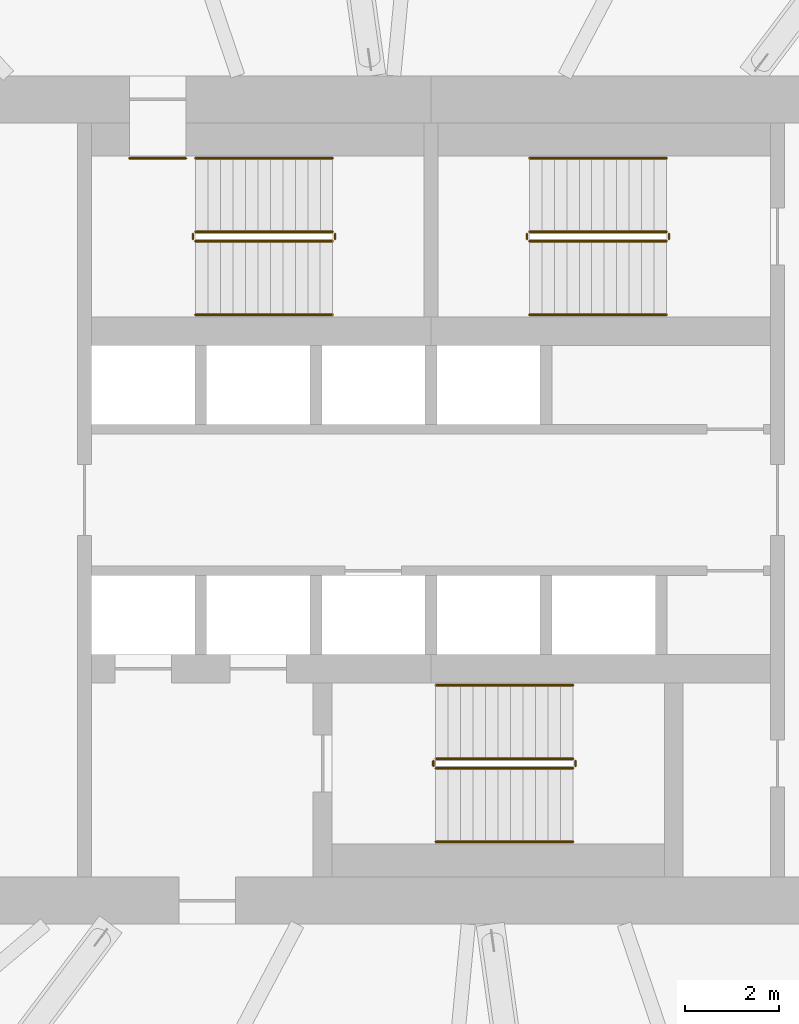
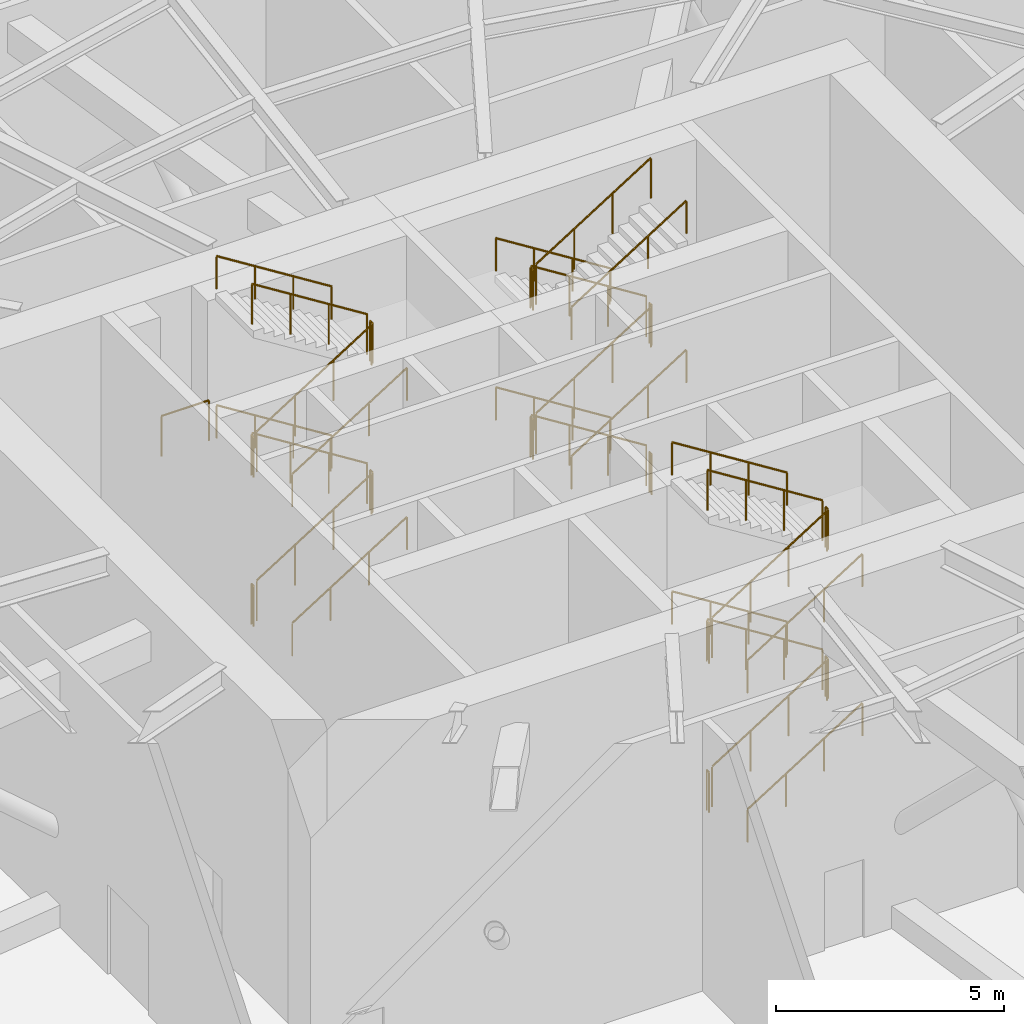
# One storey, part 14 of 15: 37 railings.
"""IFC4 building model written with IfcOpenShell, lengths in metres."""

from ifc_helpers import new_model, si_unit, direction, frame, origin, origin_2d, place, context, subcontext, project, spatial, circle, extrude, material, type_object, element, save


model = new_model("IFC4")

# Units and contexts
model_context = context("Model", 3, precision=1e-05, world=origin(), true_north=direction((0.0, 1.0)))
body_context = subcontext(model_context, "Body", "Model", "MODEL_VIEW")
ifc_project = project(units=[si_unit("LENGTHUNIT", "METRE"), si_unit("AREAUNIT", "SQUARE_METRE"), si_unit("VOLUMEUNIT", "CUBIC_METRE"), si_unit("PLANEANGLEUNIT", "RADIAN"), si_unit("MASSUNIT", "GRAM", prefix="KILO")], contexts=[model_context])

# Site, building, storey
site_placement = place(None, origin())
site = spatial("IfcSite", under=ifc_project, at=site_placement, CompositionType="ELEMENT")
building_placement = place(site_placement, origin())
building = spatial("IfcBuilding", under=site, at=building_placement, Name="Vermilion Reach Broadcast Tower", CompositionType="ELEMENT")
storey_placement = place(building_placement, frame((0.0, 0.0, 135.39990234375)))
storey = spatial("IfcBuildingStorey", under=building, at=storey_placement, Name="L32", CompositionType="ELEMENT", Elevation=135.39990234375)

# Railings
ifc_material_1 = material(Name="Stainless steel", Category="steel")
railing_type_1 = type_object("IfcRailingType", Name="Stair guard 1100", PredefinedType="GUARDRAIL", material=ifc_material_1)
railing_1_placement = place(storey_placement, frame((-11.0, 5.489990234375, 0.166748046875)))
element("IfcRailing", 1, at=railing_1_placement, inside=storey, type_object=railing_type_1, Name="L32 ST1 stair guard 1", PredefinedType="GUARDRAIL", context=body_context, shape_type="SweptSolid", body=[
    extrude(circle(Radius=0.02392578125, at=origin_2d()), frame((0.0, 0.0, 1.076171875), z_axis=(0.846513317117, 0.0, 0.532367545915), x_axis=(0.0, 1.0, 0.0)), (0.0, 0.0, 1.0), 3.443603515625),
    extrude(circle(Radius=0.02099609375, at=origin_2d()), origin(), (0.0, 0.0, 1.0), 1.052001953125),
    extrude(circle(Radius=0.02099609375, at=origin_2d()), frame((0.9716796875, 0.0, 0.611083984375)), (0.0, 0.0, 1.0), 1.052001953125),
    extrude(circle(Radius=0.02099609375, at=origin_2d()), frame((1.943359375, 0.0, 1.22216796875)), (0.0, 0.0, 1.0), 1.052001953125),
    extrude(circle(Radius=0.02099609375, at=origin_2d()), frame((2.9150390625, 0.0, 1.833251953125)), (0.0, 0.0, 1.0), 1.052001953125),
])
railing_2_placement = place(storey_placement, frame((-8.034912109375, 5.5400390625, 2.0)))
element("IfcRailing", 2, at=railing_2_placement, inside=storey, type_object=railing_type_1, Name="L32 ST1 stair guard 2", PredefinedType="GUARDRAIL", context=body_context, shape_type="SweptSolid", body=[
    extrude(circle(Radius=0.02392578125, at=origin_2d()), frame((0.0, 0.0, 1.076171875), z_axis=(0.0, 1.0, 0.0), x_axis=(-1.0, 0.0, 0.0)), (0.0, 0.0, 1.0), 0.099853515625),
    extrude(circle(Radius=0.02099609375, at=origin_2d()), origin(), (0.0, 0.0, 1.0), 1.052001953125),
    extrude(circle(Radius=0.02099609375, at=origin_2d()), frame((0.0, 0.099853515625, 0.0)), (0.0, 0.0, 1.0), 1.052001953125),
])
railing_3_placement = place(storey_placement, frame((-8.0849609375, 5.68994140625, 2.166748046875)))
element("IfcRailing", 3, at=railing_3_placement, inside=storey, type_object=railing_type_1, Name="L32 ST1 stair guard 3", PredefinedType="GUARDRAIL", context=body_context, shape_type="SweptSolid", body=[
    extrude(circle(Radius=0.02392578125, at=origin_2d()), frame((0.0, 0.0, 1.076171875), z_axis=(-0.846513317117, 0.0, 0.532367545915), x_axis=(0.0, -1.0, 0.0)), (0.0, 0.0, 1.0), 3.443603515625),
    extrude(circle(Radius=0.02099609375, at=origin_2d()), origin(), (0.0, 0.0, 1.0), 1.052001953125),
    extrude(circle(Radius=0.02099609375, at=origin_2d()), frame((-0.9716796875, 0.0, 0.611083984375)), (0.0, 0.0, 1.0), 1.052001953125),
    extrude(circle(Radius=0.02099609375, at=origin_2d()), frame((-1.943359375, 0.0, 1.22216796875)), (0.0, 0.0, 1.0), 1.052001953125),
    extrude(circle(Radius=0.02099609375, at=origin_2d()), frame((-2.9150390625, 0.0, 1.833251953125)), (0.0, 0.0, 1.0), 1.052001953125),
])
railing_4_placement = place(storey_placement, frame((-11.050048828125, 5.5400390625, 4.0)))
element("IfcRailing", 4, at=railing_4_placement, inside=storey, type_object=railing_type_1, Name="L32 ST1 stair guard 4", PredefinedType="GUARDRAIL", context=body_context, shape_type="SweptSolid", body=[
    extrude(circle(Radius=0.02392578125, at=origin_2d()), frame((0.0, 0.0, 1.076171875), z_axis=(0.0, 1.0, 0.0), x_axis=(-1.0, 0.0, 0.0)), (0.0, 0.0, 1.0), 0.099853515625),
    extrude(circle(Radius=0.02099609375, at=origin_2d()), origin(), (0.0, 0.0, 1.0), 1.052001953125),
    extrude(circle(Radius=0.02099609375, at=origin_2d()), frame((0.0, 0.099853515625, 0.0)), (0.0, 0.0, 1.0), 1.052001953125),
])
railing_5_placement = place(storey_placement, frame((-11.0, 5.489990234375, 4.166748046875)))
element("IfcRailing", 5, at=railing_5_placement, inside=storey, type_object=railing_type_1, Name="L32 ST1 stair guard 5", PredefinedType="GUARDRAIL", context=body_context, shape_type="SweptSolid", body=[
    extrude(circle(Radius=0.02392578125, at=origin_2d()), frame((0.0, 0.0, 1.076171875), z_axis=(0.846513317117, 0.0, 0.532367545915), x_axis=(0.0, 1.0, 0.0)), (0.0, 0.0, 1.0), 3.443603515625),
    extrude(circle(Radius=0.02099609375, at=origin_2d()), origin(), (0.0, 0.0, 1.0), 1.052001953125),
    extrude(circle(Radius=0.02099609375, at=origin_2d()), frame((0.9716796875, 0.0, 0.611083984375)), (0.0, 0.0, 1.0), 1.052001953125),
    extrude(circle(Radius=0.02099609375, at=origin_2d()), frame((1.943359375, 0.0, 1.22216796875)), (0.0, 0.0, 1.0), 1.052001953125),
    extrude(circle(Radius=0.02099609375, at=origin_2d()), frame((2.9150390625, 0.0, 1.833251953125)), (0.0, 0.0, 1.0), 1.052001953125),
])
railing_6_placement = place(storey_placement, frame((-8.034912109375, 5.5400390625, 6.0)))
element("IfcRailing", 6, at=railing_6_placement, inside=storey, type_object=railing_type_1, Name="L32 ST1 stair guard 6", PredefinedType="GUARDRAIL", context=body_context, shape_type="SweptSolid", body=[
    extrude(circle(Radius=0.02392578125, at=origin_2d()), frame((0.0, 0.0, 1.076171875), z_axis=(0.0, 1.0, 0.0), x_axis=(-1.0, 0.0, 0.0)), (0.0, 0.0, 1.0), 0.099853515625),
    extrude(circle(Radius=0.02099609375, at=origin_2d()), origin(), (0.0, 0.0, 1.0), 1.052001953125),
    extrude(circle(Radius=0.02099609375, at=origin_2d()), frame((0.0, 0.099853515625, 0.0)), (0.0, 0.0, 1.0), 1.052001953125),
])
railing_7_placement = place(storey_placement, frame((-8.0849609375, 5.68994140625, 6.166748046875)))
element("IfcRailing", 7, at=railing_7_placement, inside=storey, type_object=railing_type_1, Name="L32 ST1 stair guard 7", PredefinedType="GUARDRAIL", context=body_context, shape_type="SweptSolid", body=[
    extrude(circle(Radius=0.02392578125, at=origin_2d()), frame((0.0, 0.0, 1.076171875), z_axis=(-0.846513317117, 0.0, 0.532367545915), x_axis=(0.0, -1.0, 0.0)), (0.0, 0.0, 1.0), 3.443603515625),
    extrude(circle(Radius=0.02099609375, at=origin_2d()), origin(), (0.0, 0.0, 1.0), 1.052001953125),
    extrude(circle(Radius=0.02099609375, at=origin_2d()), frame((-0.9716796875, 0.0, 0.611083984375)), (0.0, 0.0, 1.0), 1.052001953125),
    extrude(circle(Radius=0.02099609375, at=origin_2d()), frame((-1.943359375, 0.0, 1.22216796875)), (0.0, 0.0, 1.0), 1.052001953125),
    extrude(circle(Radius=0.02099609375, at=origin_2d()), frame((-2.9150390625, 0.0, 1.833251953125)), (0.0, 0.0, 1.0), 1.052001953125),
])
railing_8_placement = place(storey_placement, frame((-11.050048828125, 5.5400390625, 0.0)))
element("IfcRailing", 8, at=railing_8_placement, inside=storey, type_object=railing_type_1, Name="L32 ST1 stair guard 8", PredefinedType="GUARDRAIL", context=body_context, shape_type="SweptSolid", body=[
    extrude(circle(Radius=0.02392578125, at=origin_2d()), frame((0.0, 0.0, 1.076171875), z_axis=(0.0, 1.0, 0.0), x_axis=(-1.0, 0.0, 0.0)), (0.0, 0.0, 1.0), 0.099853515625),
    extrude(circle(Radius=0.02099609375, at=origin_2d()), origin(), (0.0, 0.0, 1.0), 1.052001953125),
    extrude(circle(Radius=0.02099609375, at=origin_2d()), frame((0.0, 0.099853515625, 0.0)), (0.0, 0.0, 1.0), 1.052001953125),
])
railing_9_placement = place(storey_placement, frame((-12.39990234375, 7.25, 4.0)))
element("IfcRailing", 9, at=railing_9_placement, inside=storey, type_object=railing_type_1, Name="L32 ST1 doorway guard", PredefinedType="GUARDRAIL", context=body_context, shape_type="SweptSolid", body=[
    extrude(circle(Radius=0.02392578125, at=origin_2d()), frame((0.0, 0.0, 1.076171875), z_axis=(1.0, 0.0, 0.0), x_axis=(0.0, 1.0, 0.0)), (0.0, 0.0, 1.0), 1.199951171875),
    extrude(circle(Radius=0.02099609375, at=origin_2d()), origin(), (0.0, 0.0, 1.0), 1.052001953125),
    extrude(circle(Radius=0.02099609375, at=origin_2d()), frame((1.199951171875, 0.0, 0.0)), (0.0, 0.0, 1.0), 1.052001953125),
])
railing_10_placement = place(storey_placement, frame((-1.0, 5.68994140625, 0.166748046875)))
element("IfcRailing", 10, at=railing_10_placement, inside=storey, type_object=railing_type_1, Name="L32 ST2 stair guard 1", PredefinedType="GUARDRAIL", context=body_context, shape_type="SweptSolid", body=[
    extrude(circle(Radius=0.02392578125, at=origin_2d()), frame((0.0, 0.0, 1.076171875), z_axis=(-0.846513317117, 0.0, 0.532367545915), x_axis=(0.0, -1.0, 0.0)), (0.0, 0.0, 1.0), 3.443603515625),
    extrude(circle(Radius=0.02099609375, at=origin_2d()), origin(), (0.0, 0.0, 1.0), 1.052001953125),
    extrude(circle(Radius=0.02099609375, at=origin_2d()), frame((-0.9716796875, 0.0, 0.611083984375)), (0.0, 0.0, 1.0), 1.052001953125),
    extrude(circle(Radius=0.02099609375, at=origin_2d()), frame((-1.943359375, 0.0, 1.22216796875)), (0.0, 0.0, 1.0), 1.052001953125),
    extrude(circle(Radius=0.02099609375, at=origin_2d()), frame((-2.9150390625, 0.0, 1.833251953125)), (0.0, 0.0, 1.0), 1.052001953125),
])
railing_11_placement = place(storey_placement, frame((-3.965087890625, 5.639892578125, 2.0)))
element("IfcRailing", 11, at=railing_11_placement, inside=storey, type_object=railing_type_1, Name="L32 ST2 stair guard 2", PredefinedType="GUARDRAIL", context=body_context, shape_type="SweptSolid", body=[
    extrude(circle(Radius=0.02392578125, at=origin_2d()), frame((0.0, 0.0, 1.076171875), z_axis=(0.0, -1.0, 0.0), x_axis=(1.0, 0.0, 0.0)), (0.0, 0.0, 1.0), 0.099853515625),
    extrude(circle(Radius=0.02099609375, at=origin_2d()), origin(), (0.0, 0.0, 1.0), 1.052001953125),
    extrude(circle(Radius=0.02099609375, at=origin_2d()), frame((0.0, -0.099853515625, 0.0)), (0.0, 0.0, 1.0), 1.052001953125),
])
railing_12_placement = place(storey_placement, frame((-3.9150390625, 5.489990234375, 2.166748046875)))
element("IfcRailing", 12, at=railing_12_placement, inside=storey, type_object=railing_type_1, Name="L32 ST2 stair guard 3", PredefinedType="GUARDRAIL", context=body_context, shape_type="SweptSolid", body=[
    extrude(circle(Radius=0.02392578125, at=origin_2d()), frame((0.0, 0.0, 1.076171875), z_axis=(0.846513317117, 0.0, 0.532367545915), x_axis=(0.0, 1.0, 0.0)), (0.0, 0.0, 1.0), 3.443603515625),
    extrude(circle(Radius=0.02099609375, at=origin_2d()), origin(), (0.0, 0.0, 1.0), 1.052001953125),
    extrude(circle(Radius=0.02099609375, at=origin_2d()), frame((0.9716796875, 0.0, 0.611083984375)), (0.0, 0.0, 1.0), 1.052001953125),
    extrude(circle(Radius=0.02099609375, at=origin_2d()), frame((1.943359375, 0.0, 1.22216796875)), (0.0, 0.0, 1.0), 1.052001953125),
    extrude(circle(Radius=0.02099609375, at=origin_2d()), frame((2.9150390625, 0.0, 1.833251953125)), (0.0, 0.0, 1.0), 1.052001953125),
])
railing_13_placement = place(storey_placement, frame((-0.949951171875, 5.639892578125, 4.0)))
element("IfcRailing", 13, at=railing_13_placement, inside=storey, type_object=railing_type_1, Name="L32 ST2 stair guard 4", PredefinedType="GUARDRAIL", context=body_context, shape_type="SweptSolid", body=[
    extrude(circle(Radius=0.02392578125, at=origin_2d()), frame((0.0, 0.0, 1.076171875), z_axis=(0.0, -1.0, 0.0), x_axis=(1.0, 0.0, 0.0)), (0.0, 0.0, 1.0), 0.099853515625),
    extrude(circle(Radius=0.02099609375, at=origin_2d()), origin(), (0.0, 0.0, 1.0), 1.052001953125),
    extrude(circle(Radius=0.02099609375, at=origin_2d()), frame((0.0, -0.099853515625, 0.0)), (0.0, 0.0, 1.0), 1.052001953125),
])
railing_14_placement = place(storey_placement, frame((-1.0, 5.68994140625, 4.166748046875)))
element("IfcRailing", 14, at=railing_14_placement, inside=storey, type_object=railing_type_1, Name="L32 ST2 stair guard 5", PredefinedType="GUARDRAIL", context=body_context, shape_type="SweptSolid", body=[
    extrude(circle(Radius=0.02392578125, at=origin_2d()), frame((0.0, 0.0, 1.076171875), z_axis=(-0.846513317117, 0.0, 0.532367545915), x_axis=(0.0, -1.0, 0.0)), (0.0, 0.0, 1.0), 3.443603515625),
    extrude(circle(Radius=0.02099609375, at=origin_2d()), origin(), (0.0, 0.0, 1.0), 1.052001953125),
    extrude(circle(Radius=0.02099609375, at=origin_2d()), frame((-0.9716796875, 0.0, 0.611083984375)), (0.0, 0.0, 1.0), 1.052001953125),
    extrude(circle(Radius=0.02099609375, at=origin_2d()), frame((-1.943359375, 0.0, 1.22216796875)), (0.0, 0.0, 1.0), 1.052001953125),
    extrude(circle(Radius=0.02099609375, at=origin_2d()), frame((-2.9150390625, 0.0, 1.833251953125)), (0.0, 0.0, 1.0), 1.052001953125),
])
railing_15_placement = place(storey_placement, frame((-3.965087890625, 5.639892578125, 6.0)))
element("IfcRailing", 15, at=railing_15_placement, inside=storey, type_object=railing_type_1, Name="L32 ST2 stair guard 6", PredefinedType="GUARDRAIL", context=body_context, shape_type="SweptSolid", body=[
    extrude(circle(Radius=0.02392578125, at=origin_2d()), frame((0.0, 0.0, 1.076171875), z_axis=(0.0, -1.0, 0.0), x_axis=(1.0, 0.0, 0.0)), (0.0, 0.0, 1.0), 0.099853515625),
    extrude(circle(Radius=0.02099609375, at=origin_2d()), origin(), (0.0, 0.0, 1.0), 1.052001953125),
    extrude(circle(Radius=0.02099609375, at=origin_2d()), frame((0.0, -0.099853515625, 0.0)), (0.0, 0.0, 1.0), 1.052001953125),
])
railing_16_placement = place(storey_placement, frame((-3.9150390625, 5.489990234375, 6.166748046875)))
element("IfcRailing", 16, at=railing_16_placement, inside=storey, type_object=railing_type_1, Name="L32 ST2 stair guard 7", PredefinedType="GUARDRAIL", context=body_context, shape_type="SweptSolid", body=[
    extrude(circle(Radius=0.02392578125, at=origin_2d()), frame((0.0, 0.0, 1.076171875), z_axis=(0.846513317117, 0.0, 0.532367545915), x_axis=(0.0, 1.0, 0.0)), (0.0, 0.0, 1.0), 3.443603515625),
    extrude(circle(Radius=0.02099609375, at=origin_2d()), origin(), (0.0, 0.0, 1.0), 1.052001953125),
    extrude(circle(Radius=0.02099609375, at=origin_2d()), frame((0.9716796875, 0.0, 0.611083984375)), (0.0, 0.0, 1.0), 1.052001953125),
    extrude(circle(Radius=0.02099609375, at=origin_2d()), frame((1.943359375, 0.0, 1.22216796875)), (0.0, 0.0, 1.0), 1.052001953125),
    extrude(circle(Radius=0.02099609375, at=origin_2d()), frame((2.9150390625, 0.0, 1.833251953125)), (0.0, 0.0, 1.0), 1.052001953125),
])
railing_17_placement = place(storey_placement, frame((-0.949951171875, 5.639892578125, 0.0)))
element("IfcRailing", 17, at=railing_17_placement, inside=storey, type_object=railing_type_1, Name="L32 ST2 stair guard 8", PredefinedType="GUARDRAIL", context=body_context, shape_type="SweptSolid", body=[
    extrude(circle(Radius=0.02392578125, at=origin_2d()), frame((0.0, 0.0, 1.076171875), z_axis=(0.0, -1.0, 0.0), x_axis=(1.0, 0.0, 0.0)), (0.0, 0.0, 1.0), 0.099853515625),
    extrude(circle(Radius=0.02099609375, at=origin_2d()), origin(), (0.0, 0.0, 1.0), 1.052001953125),
    extrude(circle(Radius=0.02099609375, at=origin_2d()), frame((0.0, -0.099853515625, 0.0)), (0.0, 0.0, 1.0), 1.052001953125),
])
railing_18_placement = place(storey_placement, frame((-5.89990234375, -5.68994140625, 0.166748046875)))
element("IfcRailing", 18, at=railing_18_placement, inside=storey, type_object=railing_type_1, Name="L32 ST3 stair guard 1", PredefinedType="GUARDRAIL", context=body_context, shape_type="SweptSolid", body=[
    extrude(circle(Radius=0.02392578125, at=origin_2d()), frame((0.0, 0.0, 1.076171875), z_axis=(0.846493221946, 0.0, 0.532399497746), x_axis=(0.0, 1.0, 0.0)), (0.0, 0.0, 1.0), 3.443359375),
    extrude(circle(Radius=0.02099609375, at=origin_2d()), origin(), (0.0, 0.0, 1.0), 1.052001953125),
    extrude(circle(Radius=0.02099609375, at=origin_2d()), frame((0.9716796875, 0.0, 0.611083984375)), (0.0, 0.0, 1.0), 1.052001953125),
    extrude(circle(Radius=0.02099609375, at=origin_2d()), frame((1.943115234375, 0.0, 1.22216796875)), (0.0, 0.0, 1.0), 1.052001953125),
    extrude(circle(Radius=0.02099609375, at=origin_2d()), frame((2.914794921875, 0.0, 1.833251953125)), (0.0, 0.0, 1.0), 1.052001953125),
])
railing_19_placement = place(storey_placement, frame((-2.93505859375, -5.639892578125, 2.0)))
element("IfcRailing", 19, at=railing_19_placement, inside=storey, type_object=railing_type_1, Name="L32 ST3 stair guard 2", PredefinedType="GUARDRAIL", context=body_context, shape_type="SweptSolid", body=[
    extrude(circle(Radius=0.02392578125, at=origin_2d()), frame((0.0, 0.0, 1.076171875), z_axis=(0.0, 1.0, 0.0), x_axis=(-1.0, 0.0, 0.0)), (0.0, 0.0, 1.0), 0.099853515625),
    extrude(circle(Radius=0.02099609375, at=origin_2d()), origin(), (0.0, 0.0, 1.0), 1.052001953125),
    extrude(circle(Radius=0.02099609375, at=origin_2d()), frame((0.0, 0.099853515625, 0.0)), (0.0, 0.0, 1.0), 1.052001953125),
])
railing_20_placement = place(storey_placement, frame((-2.985107421875, -5.489990234375, 2.166748046875)))
element("IfcRailing", 20, at=railing_20_placement, inside=storey, type_object=railing_type_1, Name="L32 ST3 stair guard 3", PredefinedType="GUARDRAIL", context=body_context, shape_type="SweptSolid", body=[
    extrude(circle(Radius=0.02392578125, at=origin_2d()), frame((0.0, 0.0, 1.076171875), z_axis=(-0.846493221946, 0.0, 0.532399497746), x_axis=(0.0, -1.0, 0.0)), (0.0, 0.0, 1.0), 3.443359375),
    extrude(circle(Radius=0.02099609375, at=origin_2d()), origin(), (0.0, 0.0, 1.0), 1.052001953125),
    extrude(circle(Radius=0.02099609375, at=origin_2d()), frame((-0.9716796875, 0.0, 0.611083984375)), (0.0, 0.0, 1.0), 1.052001953125),
    extrude(circle(Radius=0.02099609375, at=origin_2d()), frame((-1.943115234375, 0.0, 1.22216796875)), (0.0, 0.0, 1.0), 1.052001953125),
    extrude(circle(Radius=0.02099609375, at=origin_2d()), frame((-2.914794921875, 0.0, 1.833251953125)), (0.0, 0.0, 1.0), 1.052001953125),
])
railing_21_placement = place(storey_placement, frame((-5.949951171875, -5.639892578125, 4.0)))
element("IfcRailing", 21, at=railing_21_placement, inside=storey, type_object=railing_type_1, Name="L32 ST3 stair guard 4", PredefinedType="GUARDRAIL", context=body_context, shape_type="SweptSolid", body=[
    extrude(circle(Radius=0.02392578125, at=origin_2d()), frame((0.0, 0.0, 1.076171875), z_axis=(0.0, 1.0, 0.0), x_axis=(-1.0, 0.0, 0.0)), (0.0, 0.0, 1.0), 0.099853515625),
    extrude(circle(Radius=0.02099609375, at=origin_2d()), origin(), (0.0, 0.0, 1.0), 1.052001953125),
    extrude(circle(Radius=0.02099609375, at=origin_2d()), frame((0.0, 0.099853515625, 0.0)), (0.0, 0.0, 1.0), 1.052001953125),
])
railing_22_placement = place(storey_placement, frame((-5.89990234375, -5.68994140625, 4.166748046875)))
element("IfcRailing", 22, at=railing_22_placement, inside=storey, type_object=railing_type_1, Name="L32 ST3 stair guard 5", PredefinedType="GUARDRAIL", context=body_context, shape_type="SweptSolid", body=[
    extrude(circle(Radius=0.02392578125, at=origin_2d()), frame((0.0, 0.0, 1.076171875), z_axis=(0.846493221946, 0.0, 0.532399497746), x_axis=(0.0, 1.0, 0.0)), (0.0, 0.0, 1.0), 3.443359375),
    extrude(circle(Radius=0.02099609375, at=origin_2d()), origin(), (0.0, 0.0, 1.0), 1.052001953125),
    extrude(circle(Radius=0.02099609375, at=origin_2d()), frame((0.9716796875, 0.0, 0.611083984375)), (0.0, 0.0, 1.0), 1.052001953125),
    extrude(circle(Radius=0.02099609375, at=origin_2d()), frame((1.943115234375, 0.0, 1.22216796875)), (0.0, 0.0, 1.0), 1.052001953125),
    extrude(circle(Radius=0.02099609375, at=origin_2d()), frame((2.914794921875, 0.0, 1.833251953125)), (0.0, 0.0, 1.0), 1.052001953125),
])
railing_23_placement = place(storey_placement, frame((-2.93505859375, -5.639892578125, 6.0)))
element("IfcRailing", 23, at=railing_23_placement, inside=storey, type_object=railing_type_1, Name="L32 ST3 stair guard 6", PredefinedType="GUARDRAIL", context=body_context, shape_type="SweptSolid", body=[
    extrude(circle(Radius=0.02392578125, at=origin_2d()), frame((0.0, 0.0, 1.076171875), z_axis=(0.0, 1.0, 0.0), x_axis=(-1.0, 0.0, 0.0)), (0.0, 0.0, 1.0), 0.099853515625),
    extrude(circle(Radius=0.02099609375, at=origin_2d()), origin(), (0.0, 0.0, 1.0), 1.052001953125),
    extrude(circle(Radius=0.02099609375, at=origin_2d()), frame((0.0, 0.099853515625, 0.0)), (0.0, 0.0, 1.0), 1.052001953125),
])
railing_24_placement = place(storey_placement, frame((-2.985107421875, -5.489990234375, 6.166748046875)))
element("IfcRailing", 24, at=railing_24_placement, inside=storey, type_object=railing_type_1, Name="L32 ST3 stair guard 7", PredefinedType="GUARDRAIL", context=body_context, shape_type="SweptSolid", body=[
    extrude(circle(Radius=0.02392578125, at=origin_2d()), frame((0.0, 0.0, 1.076171875), z_axis=(-0.846493221946, 0.0, 0.532399497746), x_axis=(0.0, -1.0, 0.0)), (0.0, 0.0, 1.0), 3.443359375),
    extrude(circle(Radius=0.02099609375, at=origin_2d()), origin(), (0.0, 0.0, 1.0), 1.052001953125),
    extrude(circle(Radius=0.02099609375, at=origin_2d()), frame((-0.9716796875, 0.0, 0.611083984375)), (0.0, 0.0, 1.0), 1.052001953125),
    extrude(circle(Radius=0.02099609375, at=origin_2d()), frame((-1.943115234375, 0.0, 1.22216796875)), (0.0, 0.0, 1.0), 1.052001953125),
    extrude(circle(Radius=0.02099609375, at=origin_2d()), frame((-2.914794921875, 0.0, 1.833251953125)), (0.0, 0.0, 1.0), 1.052001953125),
])
railing_25_placement = place(storey_placement, frame((-5.949951171875, -5.639892578125, 0.0)))
element("IfcRailing", 25, at=railing_25_placement, inside=storey, type_object=railing_type_1, Name="L32 ST3 stair guard 8", PredefinedType="GUARDRAIL", context=body_context, shape_type="SweptSolid", body=[
    extrude(circle(Radius=0.02392578125, at=origin_2d()), frame((0.0, 0.0, 1.076171875), z_axis=(0.0, 1.0, 0.0), x_axis=(-1.0, 0.0, 0.0)), (0.0, 0.0, 1.0), 0.099853515625),
    extrude(circle(Radius=0.02099609375, at=origin_2d()), origin(), (0.0, 0.0, 1.0), 1.052001953125),
    extrude(circle(Radius=0.02099609375, at=origin_2d()), frame((0.0, 0.099853515625, 0.0)), (0.0, 0.0, 1.0), 1.052001953125),
])
ifc_material_2 = material(Name="Stainless steel", Category="steel")
railing_type_2 = type_object("IfcRailingType", Name="Stair handrail", PredefinedType="HANDRAIL", material=ifc_material_2)
railing_26_placement = place(storey_placement, frame((-11.0, 3.929931640625, 0.166748046875)))
element("IfcRailing", 26, at=railing_26_placement, inside=storey, type_object=railing_type_2, Name="L32 ST1 stair handrail 1", PredefinedType="HANDRAIL", context=body_context, shape_type="SweptSolid", body=[
    extrude(circle(Radius=0.02392578125, at=origin_2d()), frame((0.0, 0.0, 0.8759765625), z_axis=(0.846513317117, 0.0, 0.532367545915), x_axis=(0.0, 1.0, 0.0)), (0.0, 0.0, 1.0), 3.443603515625),
    extrude(circle(Radius=0.02099609375, at=origin_2d()), origin(), (0.0, 0.0, 1.0), 0.851806640625),
    extrude(circle(Radius=0.02099609375, at=origin_2d()), frame((0.9716796875, 0.0, 0.611083984375)), (0.0, 0.0, 1.0), 0.851806640625),
    extrude(circle(Radius=0.02099609375, at=origin_2d()), frame((1.943359375, 0.0, 1.22216796875)), (0.0, 0.0, 1.0), 0.851806640625),
    extrude(circle(Radius=0.02099609375, at=origin_2d()), frame((2.9150390625, 0.0, 1.833251953125)), (0.0, 0.0, 1.0), 0.851806640625),
])
railing_27_placement = place(storey_placement, frame((-8.0849609375, 7.25, 2.166748046875)))
element("IfcRailing", 27, at=railing_27_placement, inside=storey, type_object=railing_type_2, Name="L32 ST1 stair handrail 2", PredefinedType="HANDRAIL", context=body_context, shape_type="SweptSolid", body=[
    extrude(circle(Radius=0.02392578125, at=origin_2d()), frame((0.0, 0.0, 0.8759765625), z_axis=(-0.846513317117, 0.0, 0.532367545915), x_axis=(0.0, -1.0, 0.0)), (0.0, 0.0, 1.0), 3.443603515625),
    extrude(circle(Radius=0.02099609375, at=origin_2d()), origin(), (0.0, 0.0, 1.0), 0.851806640625),
    extrude(circle(Radius=0.02099609375, at=origin_2d()), frame((-0.9716796875, 0.0, 0.611083984375)), (0.0, 0.0, 1.0), 0.851806640625),
    extrude(circle(Radius=0.02099609375, at=origin_2d()), frame((-1.943359375, 0.0, 1.22216796875)), (0.0, 0.0, 1.0), 0.851806640625),
    extrude(circle(Radius=0.02099609375, at=origin_2d()), frame((-2.9150390625, 0.0, 1.833251953125)), (0.0, 0.0, 1.0), 0.851806640625),
])
railing_28_placement = place(storey_placement, frame((-11.0, 3.929931640625, 4.166748046875)))
element("IfcRailing", 28, at=railing_28_placement, inside=storey, type_object=railing_type_2, Name="L32 ST1 stair handrail 3", PredefinedType="HANDRAIL", context=body_context, shape_type="SweptSolid", body=[
    extrude(circle(Radius=0.02392578125, at=origin_2d()), frame((0.0, 0.0, 0.8759765625), z_axis=(0.846513317117, 0.0, 0.532367545915), x_axis=(0.0, 1.0, 0.0)), (0.0, 0.0, 1.0), 3.443603515625),
    extrude(circle(Radius=0.02099609375, at=origin_2d()), origin(), (0.0, 0.0, 1.0), 0.851806640625),
    extrude(circle(Radius=0.02099609375, at=origin_2d()), frame((0.9716796875, 0.0, 0.611083984375)), (0.0, 0.0, 1.0), 0.851806640625),
    extrude(circle(Radius=0.02099609375, at=origin_2d()), frame((1.943359375, 0.0, 1.22216796875)), (0.0, 0.0, 1.0), 0.851806640625),
    extrude(circle(Radius=0.02099609375, at=origin_2d()), frame((2.9150390625, 0.0, 1.833251953125)), (0.0, 0.0, 1.0), 0.851806640625),
])
for number, where, name in (
    (29, (-8.0849609375, 7.25, 6.166748046875), "L32 ST1 stair handrail 4"),
    (30, (-1.0, 7.25, 0.166748046875), "L32 ST2 stair handrail 1"),
):
    element("IfcRailing", number, at=place(storey_placement, frame(where)), inside=storey, type_object=railing_type_2, Name=name, PredefinedType="HANDRAIL", context=body_context, shape_type="SweptSolid", body=[
        extrude(circle(Radius=0.02392578125, at=origin_2d()), frame((0.0, 0.0, 0.8759765625), z_axis=(-0.846513317117, 0.0, 0.532367545915), x_axis=(0.0, -1.0, 0.0)), (0.0, 0.0, 1.0), 3.443603515625),
        extrude(circle(Radius=0.02099609375, at=origin_2d()), origin(), (0.0, 0.0, 1.0), 0.851806640625),
        extrude(circle(Radius=0.02099609375, at=origin_2d()), frame((-0.9716796875, 0.0, 0.611083984375)), (0.0, 0.0, 1.0), 0.851806640625),
        extrude(circle(Radius=0.02099609375, at=origin_2d()), frame((-1.943359375, 0.0, 1.22216796875)), (0.0, 0.0, 1.0), 0.851806640625),
        extrude(circle(Radius=0.02099609375, at=origin_2d()), frame((-2.9150390625, 0.0, 1.833251953125)), (0.0, 0.0, 1.0), 0.851806640625),
    ])
railing_29_placement = place(storey_placement, frame((-3.9150390625, 3.929931640625, 2.166748046875)))
element("IfcRailing", 31, at=railing_29_placement, inside=storey, type_object=railing_type_2, Name="L32 ST2 stair handrail 2", PredefinedType="HANDRAIL", context=body_context, shape_type="SweptSolid", body=[
    extrude(circle(Radius=0.02392578125, at=origin_2d()), frame((0.0, 0.0, 0.8759765625), z_axis=(0.846513317117, 0.0, 0.532367545915), x_axis=(0.0, 1.0, 0.0)), (0.0, 0.0, 1.0), 3.443603515625),
    extrude(circle(Radius=0.02099609375, at=origin_2d()), origin(), (0.0, 0.0, 1.0), 0.851806640625),
    extrude(circle(Radius=0.02099609375, at=origin_2d()), frame((0.9716796875, 0.0, 0.611083984375)), (0.0, 0.0, 1.0), 0.851806640625),
    extrude(circle(Radius=0.02099609375, at=origin_2d()), frame((1.943359375, 0.0, 1.22216796875)), (0.0, 0.0, 1.0), 0.851806640625),
    extrude(circle(Radius=0.02099609375, at=origin_2d()), frame((2.9150390625, 0.0, 1.833251953125)), (0.0, 0.0, 1.0), 0.851806640625),
])
railing_30_placement = place(storey_placement, frame((-1.0, 7.25, 4.166748046875)))
element("IfcRailing", 32, at=railing_30_placement, inside=storey, type_object=railing_type_2, Name="L32 ST2 stair handrail 3", PredefinedType="HANDRAIL", context=body_context, shape_type="SweptSolid", body=[
    extrude(circle(Radius=0.02392578125, at=origin_2d()), frame((0.0, 0.0, 0.8759765625), z_axis=(-0.846513317117, 0.0, 0.532367545915), x_axis=(0.0, -1.0, 0.0)), (0.0, 0.0, 1.0), 3.443603515625),
    extrude(circle(Radius=0.02099609375, at=origin_2d()), origin(), (0.0, 0.0, 1.0), 0.851806640625),
    extrude(circle(Radius=0.02099609375, at=origin_2d()), frame((-0.9716796875, 0.0, 0.611083984375)), (0.0, 0.0, 1.0), 0.851806640625),
    extrude(circle(Radius=0.02099609375, at=origin_2d()), frame((-1.943359375, 0.0, 1.22216796875)), (0.0, 0.0, 1.0), 0.851806640625),
    extrude(circle(Radius=0.02099609375, at=origin_2d()), frame((-2.9150390625, 0.0, 1.833251953125)), (0.0, 0.0, 1.0), 0.851806640625),
])
railing_31_placement = place(storey_placement, frame((-3.9150390625, 3.929931640625, 6.166748046875)))
element("IfcRailing", 33, at=railing_31_placement, inside=storey, type_object=railing_type_2, Name="L32 ST2 stair handrail 4", PredefinedType="HANDRAIL", context=body_context, shape_type="SweptSolid", body=[
    extrude(circle(Radius=0.02392578125, at=origin_2d()), frame((0.0, 0.0, 0.8759765625), z_axis=(0.846513317117, 0.0, 0.532367545915), x_axis=(0.0, 1.0, 0.0)), (0.0, 0.0, 1.0), 3.443603515625),
    extrude(circle(Radius=0.02099609375, at=origin_2d()), origin(), (0.0, 0.0, 1.0), 0.851806640625),
    extrude(circle(Radius=0.02099609375, at=origin_2d()), frame((0.9716796875, 0.0, 0.611083984375)), (0.0, 0.0, 1.0), 0.851806640625),
    extrude(circle(Radius=0.02099609375, at=origin_2d()), frame((1.943359375, 0.0, 1.22216796875)), (0.0, 0.0, 1.0), 0.851806640625),
    extrude(circle(Radius=0.02099609375, at=origin_2d()), frame((2.9150390625, 0.0, 1.833251953125)), (0.0, 0.0, 1.0), 0.851806640625),
])
railing_32_placement = place(storey_placement, frame((-5.89990234375, -7.25, 0.166748046875)))
element("IfcRailing", 34, at=railing_32_placement, inside=storey, type_object=railing_type_2, Name="L32 ST3 stair handrail 1", PredefinedType="HANDRAIL", context=body_context, shape_type="SweptSolid", body=[
    extrude(circle(Radius=0.02392578125, at=origin_2d()), frame((0.0, 0.0, 0.8759765625), z_axis=(0.846493221946, 0.0, 0.532399497746), x_axis=(0.0, 1.0, 0.0)), (0.0, 0.0, 1.0), 3.443359375),
    extrude(circle(Radius=0.02099609375, at=origin_2d()), origin(), (0.0, 0.0, 1.0), 0.851806640625),
    extrude(circle(Radius=0.02099609375, at=origin_2d()), frame((0.9716796875, 0.0, 0.611083984375)), (0.0, 0.0, 1.0), 0.851806640625),
    extrude(circle(Radius=0.02099609375, at=origin_2d()), frame((1.943115234375, 0.0, 1.22216796875)), (0.0, 0.0, 1.0), 0.851806640625),
    extrude(circle(Radius=0.02099609375, at=origin_2d()), frame((2.914794921875, 0.0, 1.833251953125)), (0.0, 0.0, 1.0), 0.851806640625),
])
railing_33_placement = place(storey_placement, frame((-2.985107421875, -3.929931640625, 2.166748046875)))
element("IfcRailing", 35, at=railing_33_placement, inside=storey, type_object=railing_type_2, Name="L32 ST3 stair handrail 2", PredefinedType="HANDRAIL", context=body_context, shape_type="SweptSolid", body=[
    extrude(circle(Radius=0.02392578125, at=origin_2d()), frame((0.0, 0.0, 0.8759765625), z_axis=(-0.846493221946, 0.0, 0.532399497746), x_axis=(0.0, -1.0, 0.0)), (0.0, 0.0, 1.0), 3.443359375),
    extrude(circle(Radius=0.02099609375, at=origin_2d()), origin(), (0.0, 0.0, 1.0), 0.851806640625),
    extrude(circle(Radius=0.02099609375, at=origin_2d()), frame((-0.9716796875, 0.0, 0.611083984375)), (0.0, 0.0, 1.0), 0.851806640625),
    extrude(circle(Radius=0.02099609375, at=origin_2d()), frame((-1.943115234375, 0.0, 1.22216796875)), (0.0, 0.0, 1.0), 0.851806640625),
    extrude(circle(Radius=0.02099609375, at=origin_2d()), frame((-2.914794921875, 0.0, 1.833251953125)), (0.0, 0.0, 1.0), 0.851806640625),
])
railing_34_placement = place(storey_placement, frame((-5.89990234375, -7.25, 4.166748046875)))
element("IfcRailing", 36, at=railing_34_placement, inside=storey, type_object=railing_type_2, Name="L32 ST3 stair handrail 3", PredefinedType="HANDRAIL", context=body_context, shape_type="SweptSolid", body=[
    extrude(circle(Radius=0.02392578125, at=origin_2d()), frame((0.0, 0.0, 0.8759765625), z_axis=(0.846493221946, 0.0, 0.532399497746), x_axis=(0.0, 1.0, 0.0)), (0.0, 0.0, 1.0), 3.443359375),
    extrude(circle(Radius=0.02099609375, at=origin_2d()), origin(), (0.0, 0.0, 1.0), 0.851806640625),
    extrude(circle(Radius=0.02099609375, at=origin_2d()), frame((0.9716796875, 0.0, 0.611083984375)), (0.0, 0.0, 1.0), 0.851806640625),
    extrude(circle(Radius=0.02099609375, at=origin_2d()), frame((1.943115234375, 0.0, 1.22216796875)), (0.0, 0.0, 1.0), 0.851806640625),
    extrude(circle(Radius=0.02099609375, at=origin_2d()), frame((2.914794921875, 0.0, 1.833251953125)), (0.0, 0.0, 1.0), 0.851806640625),
])
railing_35_placement = place(storey_placement, frame((-2.985107421875, -3.929931640625, 6.166748046875)))
element("IfcRailing", 37, at=railing_35_placement, inside=storey, type_object=railing_type_2, Name="L32 ST3 stair handrail 4", PredefinedType="HANDRAIL", context=body_context, shape_type="SweptSolid", body=[
    extrude(circle(Radius=0.02392578125, at=origin_2d()), frame((0.0, 0.0, 0.8759765625), z_axis=(-0.846493221946, 0.0, 0.532399497746), x_axis=(0.0, -1.0, 0.0)), (0.0, 0.0, 1.0), 3.443359375),
    extrude(circle(Radius=0.02099609375, at=origin_2d()), origin(), (0.0, 0.0, 1.0), 0.851806640625),
    extrude(circle(Radius=0.02099609375, at=origin_2d()), frame((-0.9716796875, 0.0, 0.611083984375)), (0.0, 0.0, 1.0), 0.851806640625),
    extrude(circle(Radius=0.02099609375, at=origin_2d()), frame((-1.943115234375, 0.0, 1.22216796875)), (0.0, 0.0, 1.0), 0.851806640625),
    extrude(circle(Radius=0.02099609375, at=origin_2d()), frame((-2.914794921875, 0.0, 1.833251953125)), (0.0, 0.0, 1.0), 0.851806640625),
])

save(model, "model.ifc")
